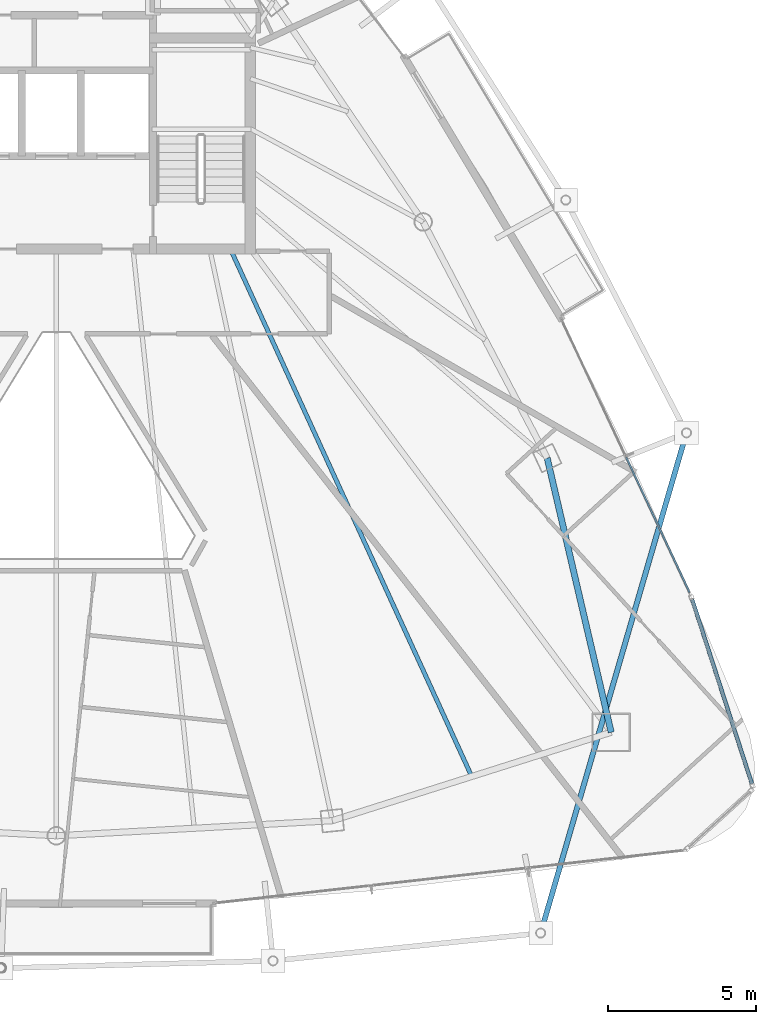
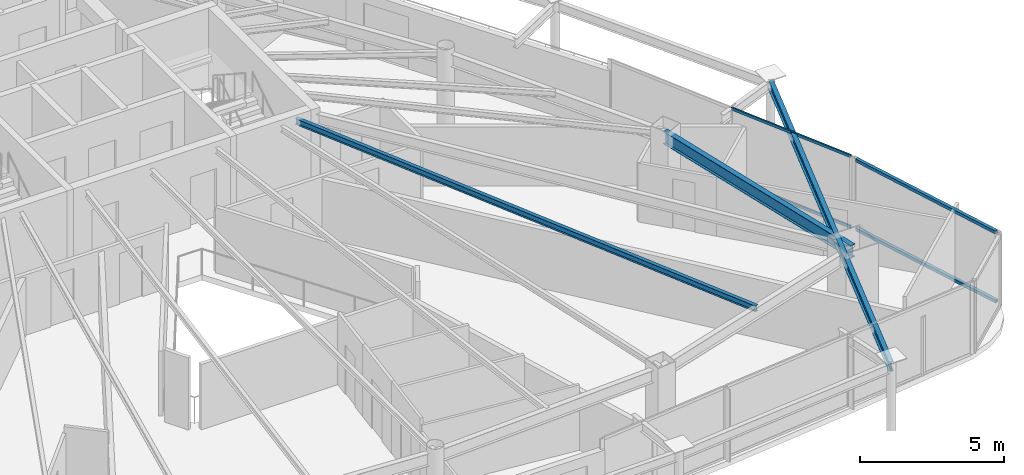
# One storey, part 17 of 34: 4 members, 3 beams, 2 elements without a shape of their own.
"""IFC4 building model written with IfcOpenShell, lengths in metres."""

from ifc_helpers import new_model, si_unit, direction, frame, origin, origin_2d, place, context, subcontext, project, spatial, hollow_rectangle, i_section, extrude, material, layer, layer_set, material_profile, profile_set, type_object, element, aggregate, save


model = new_model("IFC4")

# Units and contexts
model_context = context("Model", 3, precision=1e-05, world=origin(), true_north=direction((0.0, 1.0)))
body_context = subcontext(model_context, "Body", "Model", "MODEL_VIEW")
ifc_project = project(units=[si_unit("LENGTHUNIT", "METRE"), si_unit("AREAUNIT", "SQUARE_METRE"), si_unit("VOLUMEUNIT", "CUBIC_METRE"), si_unit("PLANEANGLEUNIT", "RADIAN"), si_unit("MASSUNIT", "GRAM", prefix="KILO")], contexts=[model_context])

# Site, building, storey
site_placement = place(None, origin())
site = spatial("IfcSite", under=ifc_project, at=site_placement, CompositionType="ELEMENT")
building_placement = place(site_placement, origin())
building = spatial("IfcBuilding", under=site, at=building_placement, Name="Orvanel Arch Residences", CompositionType="ELEMENT")
storey_placement = place(building_placement, frame((0.0, 0.0, 203.0)))
storey = spatial("IfcBuildingStorey", under=building, at=storey_placement, Name="L57", CompositionType="ELEMENT", Elevation=203.0)

# Beams
ifc_material_1 = material(Name="Structural steel AS/NZS 3679.1 Grade 300 (300 MPa)", Category="steel")
ifc_material_profile_1 = material_profile(ifc_material_1, i_section(OverallWidth=0.14599609375, OverallDepth=0.251953125, WebThickness=0.006103515625, FlangeThickness=0.008544921875, at=origin_2d()), Name="250UB31.4")
ifc_profile_set_1 = profile_set([ifc_material_profile_1], Name="Structural steel AS/NZS 3679.1 Grade 300 (300 MPa)")
beam_type_1 = type_object("IfcBeamType", Name="BJ-250UB", PredefinedType="JOIST", material=ifc_profile_set_1)
beam_1_placement = place(storey_placement, frame((38.89990234375, 26.72509765625, 2.93408203125), z_axis=(0.416009574066, -0.909360233508, 0.0), x_axis=(0.909360233508, 0.416009574066, 0.0)))
element("IfcBeam", 1, at=beam_1_placement, inside=storey, type_object=beam_type_1, Name="L57 JADD2 Wing Floor Joist", PredefinedType="JOIST", context=body_context, shape_type="SweptSolid", body=[
    extrude(i_section(OverallWidth=0.14599609375, OverallDepth=0.251953125, WebThickness=0.006103515625, FlangeThickness=0.008544921875, at=origin_2d()), origin(), (0.0, 0.0, 1.0), 19.653564453125),
])
ifc_material_profile_2 = material_profile(ifc_material_1, i_section(OverallWidth=0.177978515625, OverallDepth=0.406005859375, WebThickness=0.0078125, FlangeThickness=0.0126953125, at=origin_2d()), Name="410UB59.7")
ifc_profile_set_2 = profile_set([ifc_material_profile_2], Name="Structural steel AS/NZS 3679.1 Grade 300 (300 MPa)")
beam_type_2 = type_object("IfcBeamType", Name="OB-410UB-EXT", PredefinedType="SPANDREL", material=ifc_profile_set_2)
beam_2_placement = place(storey_placement, frame((49.410888671875, 3.547119140625, 2.85693359375), z_axis=(0.279865655106, 0.960039173728, 0.0), x_axis=(-0.960039173728, 0.279865655106, 0.0)))
element("IfcBeam", 2, at=beam_2_placement, inside=storey, type_object=beam_type_2, Name="L57 Outer Perimeter Floor Ring Beam 08", PredefinedType="SPANDREL", context=body_context, shape_type="SweptSolid", body=[
    extrude(i_section(OverallWidth=0.177978515625, OverallDepth=0.406005859375, WebThickness=0.0078125, FlangeThickness=0.0126953125, at=origin_2d()), origin(), (0.0, 0.0, 1.0), 17.655517578125),
])
ifc_material_profile_3 = material_profile(ifc_material_1, i_section(OverallWidth=0.208984375, OverallDepth=0.532958984375, WebThickness=0.01025390625, FlangeThickness=0.015625, at=origin_2d()), Name="530UB92.4")
ifc_profile_set_3 = profile_set([ifc_material_profile_3], Name="Structural steel AS/NZS 3679.1 Grade 300 (300 MPa)")
beam_type_3 = type_object("IfcBeamType", Name="SP-530UB", PredefinedType="SPANDREL", material=ifc_profile_set_3)
beam_3_placement = place(storey_placement, frame((51.801025390625, 10.35107421875, 2.79296875), z_axis=(-0.227236087167, 0.973839699688, 0.0), x_axis=(-0.973839699688, -0.227236087167, 0.0)))
element("IfcBeam", 3, at=beam_3_placement, inside=storey, type_object=beam_type_3, Name="L57 Perimeter Spandrel Beam 06", PredefinedType="SPANDREL", context=body_context, shape_type="SweptSolid", body=[
    extrude(i_section(OverallWidth=0.208984375, OverallDepth=0.532958984375, WebThickness=0.01025390625, FlangeThickness=0.015625, at=origin_2d()), origin(), (0.0, 0.0, 1.0), 9.54052734375),
])

# Curtain wall, members
ifc_material_2 = material(Name="Bronze-anodised aluminium AA6063-T6", Category="aluminium")
ifc_layer_1 = layer(ifc_material_2, 0.175048828125)
ifc_layer_set_1 = layer_set([ifc_layer_1], Name="Bronze-anodised aluminium AA6063-T6")
curtain_wall_type_1 = type_object("IfcCurtainWallType", Name="CW4-HI-SYS", PredefinedType="NOTDEFINED", material=ifc_layer_set_1)
curtain_wall_1_placement = place(storey_placement, origin())
curtain_wall_1 = element("IfcCurtainWall", 4, at=curtain_wall_1_placement, inside=storey, type_object=curtain_wall_type_1, Name="L57 CW4-HI-SYS Unitised Curtain Wall", PredefinedType="NOTDEFINED")
ifc_material_profile_4 = material_profile(ifc_material_2, hollow_rectangle(XDim=0.06005859375, YDim=0.1201171875, WallThickness=0.00341796875, at=origin_2d()), Name="ALU120x60x3.5")
ifc_profile_set_4 = profile_set([ifc_material_profile_4], Name="Bronze-anodised aluminium AA6063-T6")
member_type_1 = type_object("IfcMemberType", Name="TRN-120x60", PredefinedType="USERDEFINED", material=ifc_profile_set_4)
member_1_placement = place(storey_placement, frame((54.456298828125, 15.0888671875, 0.030029296875), z_axis=(-0.424480869701, 0.905436906282, 0.0), x_axis=(-0.905436906282, -0.424480869701, 0.0)))
member_1 = element("IfcMember", 5, at=member_1_placement, type_object=member_type_1, Name="CW-S4 transom 1.1", ObjectType="TRANSOM", PredefinedType="USERDEFINED", context=body_context, shape_type="SweptSolid", body=[
    extrude(hollow_rectangle(XDim=0.06005859375, YDim=0.1201171875, WallThickness=0.00341796875, at=origin_2d()), origin(), (0.0, 0.0, 1.0), 5.057861328125),
])
member_2_placement = place(storey_placement, frame((54.456298828125, 15.0888671875, 3.030029296875), z_axis=(-0.424480869701, 0.905436906282, 0.0), x_axis=(-0.905436906282, -0.424480869701, 0.0)))
member_2 = element("IfcMember", 6, at=member_2_placement, type_object=member_type_1, Name="CW-S4 transom 1.2", ObjectType="TRANSOM", PredefinedType="USERDEFINED", context=body_context, shape_type="SweptSolid", body=[
    extrude(hollow_rectangle(XDim=0.06005859375, YDim=0.1201171875, WallThickness=0.00341796875, at=origin_2d()), origin(), (0.0, 0.0, 1.0), 5.057861328125),
])
aggregate(curtain_wall_1, [member_1, member_2])

ifc_layer_2 = layer(ifc_material_2, 0.18994140625)
ifc_layer_set_2 = layer_set([ifc_layer_2], Name="Bronze-anodised aluminium AA6063-T6")
curtain_wall_type_2 = type_object("IfcCurtainWallType", Name="CW5-CRN-SYS", PredefinedType="NOTDEFINED", material=ifc_layer_set_2)
curtain_wall_2_placement = place(storey_placement, origin())
curtain_wall_2 = element("IfcCurtainWall", 7, at=curtain_wall_2_placement, inside=storey, type_object=curtain_wall_type_2, Name="L57 CW5-CRN-SYS Unitised Curtain Wall", PredefinedType="NOTDEFINED")
ifc_material_profile_5 = material_profile(ifc_material_2, hollow_rectangle(XDim=0.1298828125, YDim=0.1298828125, WallThickness=0.00439453125, at=origin_2d()), Name="ALU130x130x4.5")
ifc_profile_set_5 = profile_set([ifc_material_profile_5], Name="Bronze-anodised aluminium AA6063-T6")
member_type_2 = type_object("IfcMemberType", Name="TRN-130x130", PredefinedType="USERDEFINED", material=ifc_profile_set_5)
member_3_placement = place(storey_placement, frame((56.568603515625, 8.608642578125, 0.06494140625), z_axis=(-0.30851561649, 0.95121927776, 0.0), x_axis=(-0.95121927776, -0.30851561649, 0.0)))
member_3 = element("IfcMember", 8, at=member_3_placement, type_object=member_type_2, Name="CW-S5 transom 1.1", ObjectType="TRANSOM", PredefinedType="USERDEFINED", context=body_context, shape_type="SweptSolid", body=[
    extrude(hollow_rectangle(XDim=0.1298828125, YDim=0.1298828125, WallThickness=0.00439453125, at=origin_2d()), origin(), (0.0, 0.0, 1.0), 6.561767578125),
])
member_4_placement = place(storey_placement, frame((56.568603515625, 8.608642578125, 2.9951171875), z_axis=(-0.30851561649, 0.95121927776, 0.0), x_axis=(-0.95121927776, -0.30851561649, 0.0)))
member_4 = element("IfcMember", 9, at=member_4_placement, type_object=member_type_2, Name="CW-S5 transom 1.2", ObjectType="TRANSOM", PredefinedType="USERDEFINED", context=body_context, shape_type="SweptSolid", body=[
    extrude(hollow_rectangle(XDim=0.1298828125, YDim=0.1298828125, WallThickness=0.00439453125, at=origin_2d()), origin(), (0.0, 0.0, 1.0), 6.561767578125),
])
aggregate(curtain_wall_2, [member_3, member_4])

save(model, "model.ifc")
